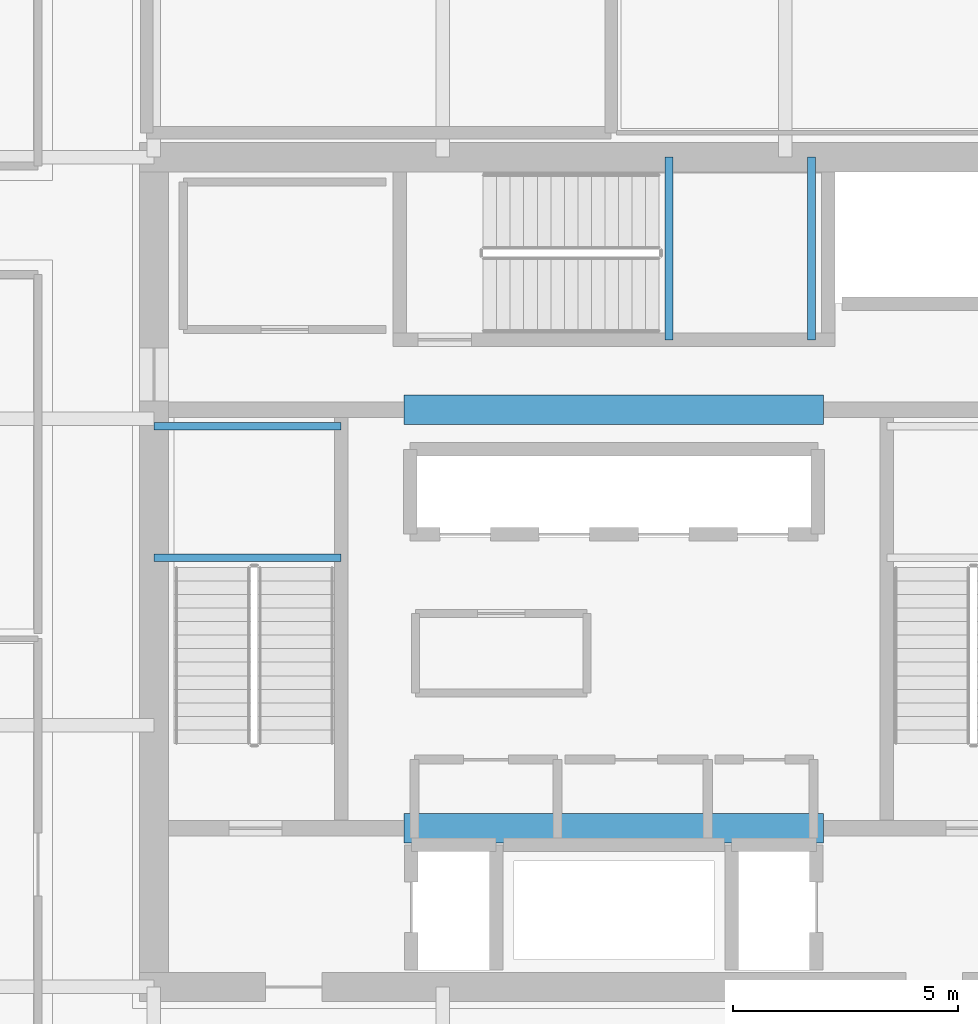
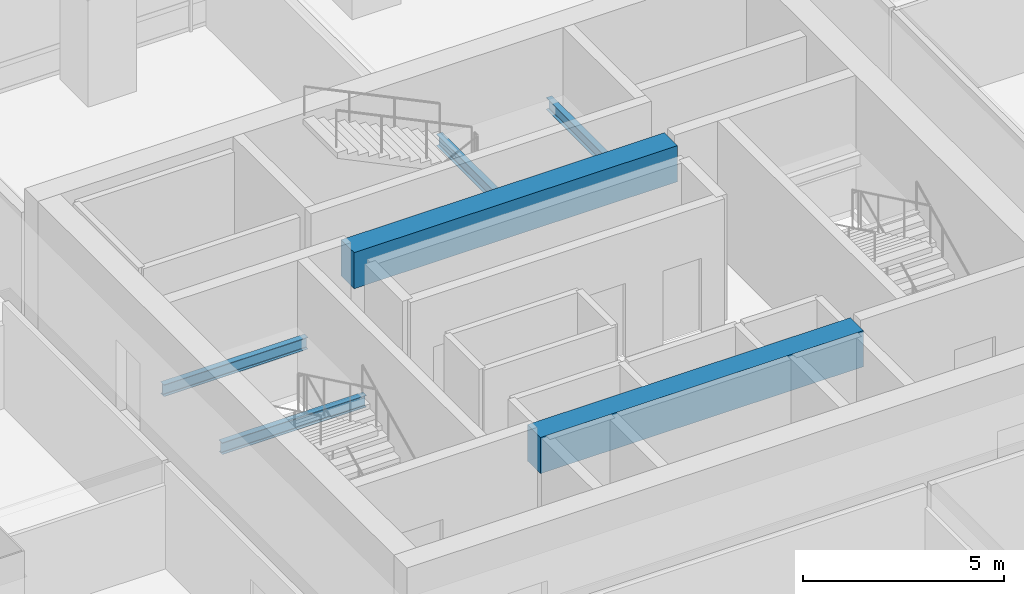
# One storey, part 12 of 36: 6 beams.
"""IFC4 building model written with IfcOpenShell, lengths in metres."""

from ifc_helpers import new_model, si_unit, direction, frame, origin, origin_2d, place, context, subcontext, project, spatial, rectangle, i_section, extrude, material, material_profile, profile_set, type_object, element, save


model = new_model("IFC4")

# Units and contexts
model_context = context("Model", 3, precision=1e-05, world=origin(), true_north=direction((0.0, 1.0)))
body_context = subcontext(model_context, "Body", "Model", "MODEL_VIEW")
ifc_project = project(units=[si_unit("LENGTHUNIT", "METRE"), si_unit("AREAUNIT", "SQUARE_METRE"), si_unit("VOLUMEUNIT", "CUBIC_METRE"), si_unit("PLANEANGLEUNIT", "RADIAN"), si_unit("MASSUNIT", "GRAM", prefix="KILO")], contexts=[model_context])

# Site, building, storey
site_placement = place(None, origin())
site = spatial("IfcSite", under=ifc_project, at=site_placement, CompositionType="ELEMENT")
building_placement = place(site_placement, origin())
building = spatial("IfcBuilding", under=site, at=building_placement, Name="Punatoya Terracotta Tower", CompositionType="ELEMENT")
storey_placement = place(building_placement, frame((0.0, 0.0, 184.35009765625)))
storey = spatial("IfcBuildingStorey", under=building, at=storey_placement, Name="L43", CompositionType="ELEMENT", Elevation=184.35009765625)

# Beams
ifc_material_1 = material(Name="Concrete C60/75", Category="concrete")
ifc_material_profile_1 = material_profile(ifc_material_1, rectangle(XDim=0.64990234375, YDim=1.10009765625, at=origin_2d()))
ifc_profile_set_1 = profile_set([ifc_material_profile_1], Name="Concrete C60/75")
beam_type_1 = type_object("IfcBeamType", Name="BM-RC-1100", PredefinedType="LINTEL", material=ifc_profile_set_1)
for number, where, z_axis, x_axis, name in (
    (1, (-4.64990234375, -5.679931640625, 3.27978515625), (1.0, 0.0, 0.0), (0.0, 1.0, 0.0), "L43 Core Coupling Lintel CSW"),
    (2, (-4.64990234375, 3.60009765625, 3.27978515625), (1.0, 0.0, 0.0), (0.0, 1.0, 0.0), "L43 Core Coupling Lintel CNW"),
):
    element("IfcBeam", number, at=place(storey_placement, frame(where, z_axis=z_axis, x_axis=x_axis)), inside=storey, type_object=beam_type_1, Name=name, PredefinedType="LINTEL", context=body_context, shape_type="SweptSolid", body=[
        extrude(rectangle(XDim=0.64990234375, YDim=1.10009765625, at=origin_2d()), origin(), (0.0, 0.0, 1.0), 9.2998046875),
    ])
ifc_material_2 = material(Name="Steel S355", Category="steel")
ifc_material_profile_2 = material_profile(ifc_material_2, i_section(OverallWidth=0.169921875, OverallDepth=0.360107421875, WebThickness=0.008056640625, FlangeThickness=0.0126953125, FilletRadius=0.01806640625, at=origin_2d()))
ifc_profile_set_2 = profile_set([ifc_material_profile_2], Name="Steel S355")
beam_type_2 = type_object("IfcBeamType", Name="BM-SEC-360", PredefinedType="JOIST", material=ifc_profile_set_2)
for number, where, z_axis, x_axis, name in (
    (3, (-10.199951171875, 0.320068359375, 1.64501953125), (1.0, 0.0, 0.0), (0.0, 1.0, 0.0), "BM-L43-ST-1-LD1A"),
    (4, (-10.199951171875, 3.22998046875, 1.64501953125), (1.0, 0.0, 0.0), (0.0, 1.0, 0.0), "BM-L43-ST-1-LD1B"),
):
    element("IfcBeam", number, at=place(storey_placement, frame(where, z_axis=z_axis, x_axis=x_axis)), inside=storey, type_object=beam_type_2, Name=name, PredefinedType="JOIST", context=body_context, shape_type="SweptSolid", body=[
        extrude(i_section(OverallWidth=0.169921875, OverallDepth=0.360107421875, WebThickness=0.008056640625, FlangeThickness=0.0126953125, FilletRadius=0.01806640625, at=origin_2d()), origin(), (0.0, 0.0, 1.0), 4.14990234375),
    ])
for number, where, z_axis, x_axis, name in (
    (5, (1.219970703125, 5.14990234375, 1.64501953125), (0.0, 1.0, 0.0), (-1.0, 0.0, 0.0), "BM-L43-ST-3-LD1A"),
    (6, (4.3798828125, 5.14990234375, 1.64501953125), (0.0, 1.0, 0.0), (-1.0, 0.0, 0.0), "BM-L43-ST-3-LD1B"),
):
    element("IfcBeam", number, at=place(storey_placement, frame(where, z_axis=z_axis, x_axis=x_axis)), inside=storey, type_object=beam_type_2, Name=name, PredefinedType="JOIST", context=body_context, shape_type="SweptSolid", body=[
        extrude(i_section(OverallWidth=0.169921875, OverallDepth=0.360107421875, WebThickness=0.008056640625, FlangeThickness=0.0126953125, FilletRadius=0.01806640625, at=origin_2d()), origin(), (0.0, 0.0, 1.0), 4.050048828125),
    ])

save(model, "model.ifc")
